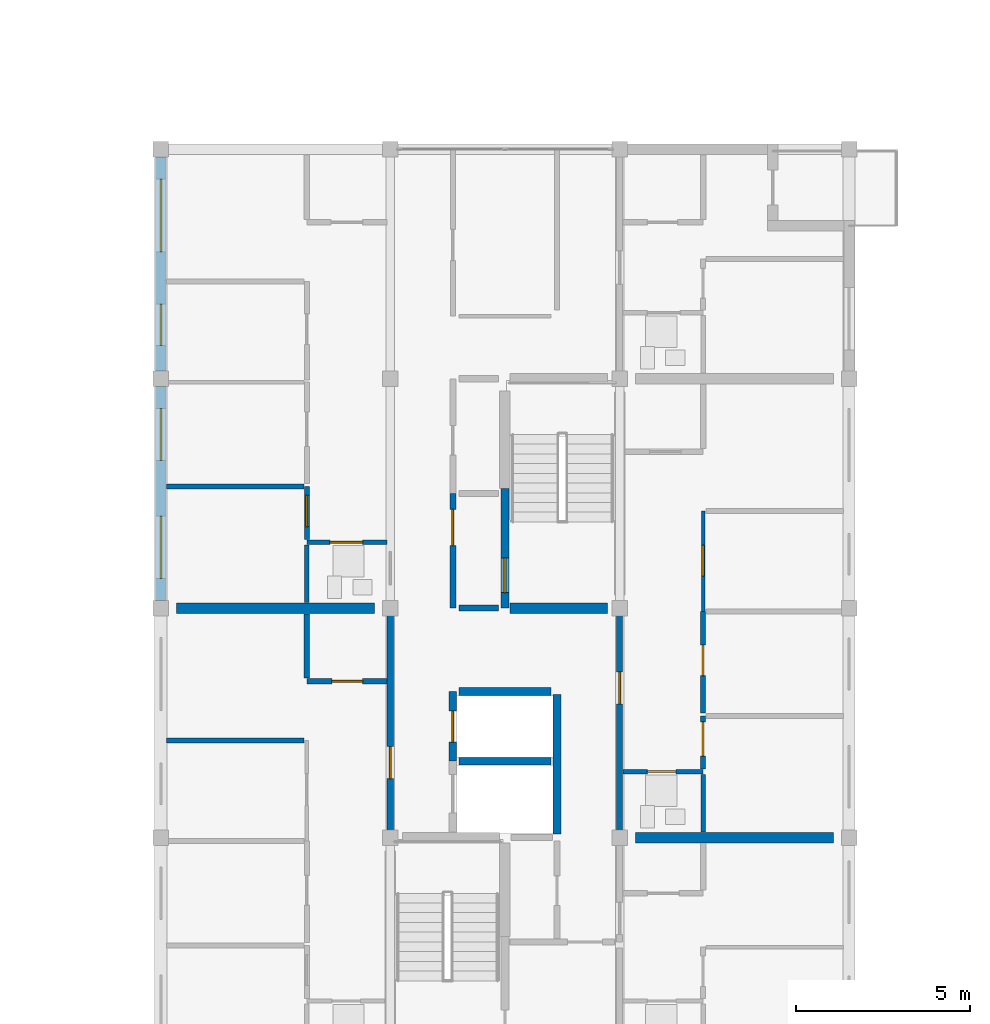
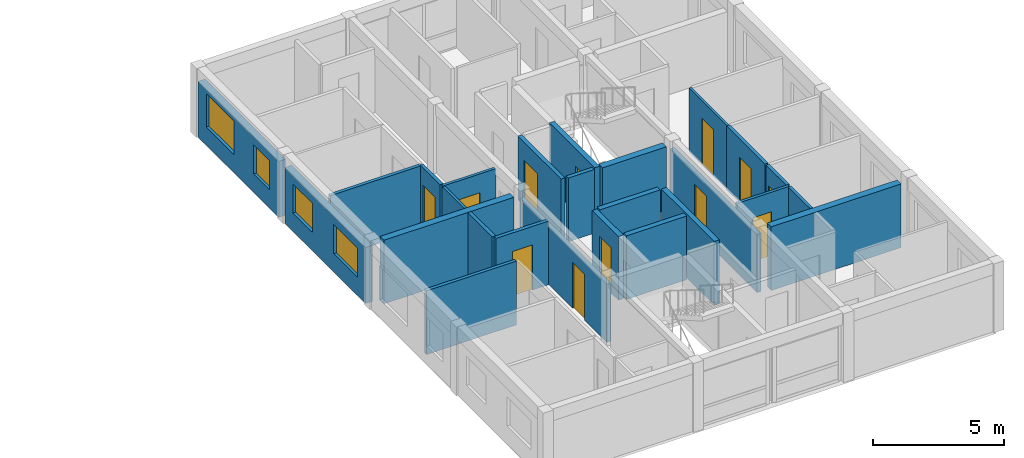
# One storey, part 29 of 45: 26 walls, 12 doors, 4 windows, 16 openings.
"""IFC4 building model written with IfcOpenShell, lengths in metres."""

from ifc_helpers import new_model, si_unit, direction, frame, frame_2d, origin, place, context, subcontext, project, spatial, rectangle, extrude, material, layer, layer_set, type_object, element, fill, save


model = new_model("IFC4")

# Units and contexts
model_context = context("Model", 3, precision=1e-05, world=origin(), true_north=direction((0.0, 1.0)))
body_context = subcontext(model_context, "Body", "Model", "MODEL_VIEW")
ifc_project = project(units=[si_unit("LENGTHUNIT", "METRE"), si_unit("AREAUNIT", "SQUARE_METRE"), si_unit("VOLUMEUNIT", "CUBIC_METRE"), si_unit("PLANEANGLEUNIT", "RADIAN"), si_unit("MASSUNIT", "GRAM", prefix="KILO")], contexts=[model_context])

# Site, building, storey
site_placement = place(None, origin())
site = spatial("IfcSite", under=ifc_project, at=site_placement, CompositionType="ELEMENT")
building_placement = place(site_placement, origin())
building = spatial("IfcBuilding", under=site, at=building_placement, Name="Kernevlak Ridge Housing Community", CompositionType="ELEMENT")
storey_placement = place(building_placement, frame((0.0, 0.0, 14.800048828125)))
storey = spatial("IfcBuildingStorey", under=building, at=storey_placement, Name="L04", CompositionType="ELEMENT", Elevation=14.800048828125)

# Wall, openings, windows
ifc_material_1 = material(Name="Concrete block masonry M10", Category="masonry")
ifc_layer_1 = layer(ifc_material_1, 0.300048828125, Name="Concrete block masonry M10")
ifc_layer_set_1 = layer_set([ifc_layer_1], Name="Concrete block masonry M10")
wall_type_1 = type_object("IfcWallType", Name="EW-01", PredefinedType="STANDARD", material=ifc_layer_set_1)
wall_1_placement = place(storey_placement, frame((126.0, 29.02490234375, 0.0), z_axis=(0.0, 0.0, 1.0), x_axis=(0.0, 1.0, 0.0)))
wall_1 = element("IfcWall", 1, at=wall_1_placement, inside=storey, type_object=wall_type_1, Name="Exterior wall EW-01 L04 588", PredefinedType="STANDARD", context=body_context, shape_type="SweptSolid", body=[
    extrude(rectangle(XDim=6.150146484375, YDim=0.300048828125, at=frame_2d((3.0751953125, 0.0))), origin(), (0.0, 0.0, 1.0), 2.599853515625),
])
opening_1_placement = place(wall_1_placement, frame((0.625, 0.0, 0.85009765625)))
opening_1 = element("IfcOpeningElement", 2, at=opening_1_placement, cuts=wall_1, Name="Opening WT-03", PredefinedType="OPENING", context=body_context, shape_type="SweptSolid", body=[
    extrude(rectangle(XDim=1.800048828125, YDim=1.35009765625, at=frame_2d((0.89990234375, 0.675048828125))), frame((0.0, 0.159912109375, 0.0), z_axis=(0.0, -1.0, 0.0), x_axis=(1.0, 0.0, 0.0)), (0.0, 0.0, 1.0), 0.320068359375),
])
opening_2_placement = place(wall_1_placement, frame((4.02490234375, 0.0, 0.85009765625)))
opening_2 = element("IfcOpeningElement", 3, at=opening_2_placement, cuts=wall_1, Name="Opening WT-02", PredefinedType="OPENING", context=body_context, shape_type="SweptSolid", body=[
    extrude(rectangle(XDim=1.5, YDim=1.35009765625, at=frame_2d((0.75, 0.675048828125))), frame((0.0, 0.159912109375, 0.0), z_axis=(0.0, -1.0, 0.0), x_axis=(1.0, 0.0, 0.0)), (0.0, 0.0, 1.0), 0.320068359375),
])
ifc_material_2 = material(Name="Aluminium EN AW-6060 anodised and laminated glass", Category="aluminium")
window_type_1 = type_object("IfcWindowType", Name="WT-02", PartitioningType="SINGLE_PANEL", PredefinedType="WINDOW", material=ifc_material_2)
window_1_placement = place(opening_2_placement, origin())
window_1 = element("IfcWindow", 4, at=window_1_placement, inside=storey, type_object=window_type_1, Name="Window WT-02 L04 477", OverallHeight=1.35009765625, OverallWidth=1.5, PartitioningType="SINGLE_PANEL", PredefinedType="WINDOW", context=body_context, shape_type="SweptSolid", body=[
    extrude(rectangle(XDim=1.5, YDim=1.35009765625, at=frame_2d((0.75, 0.675048828125))), frame((0.0, 0.030029296875, 0.0), z_axis=(0.0, -1.0, 0.0), x_axis=(1.0, 0.0, 0.0)), (0.0, 0.0, 1.0), 0.06005859375),
])
fill(opening_2, window_1)
window_type_2 = type_object("IfcWindowType", Name="WT-03", PartitioningType="SINGLE_PANEL", PredefinedType="WINDOW", material=ifc_material_2)
window_2_placement = place(opening_1_placement, origin())
window_2 = element("IfcWindow", 5, at=window_2_placement, inside=storey, type_object=window_type_2, Name="Window WT-03 L04 476", OverallHeight=1.35009765625, OverallWidth=1.800048828125, PartitioningType="SINGLE_PANEL", PredefinedType="WINDOW", context=body_context, shape_type="SweptSolid", body=[
    extrude(rectangle(XDim=1.800048828125, YDim=1.35009765625, at=frame_2d((0.89990234375, 0.675048828125))), frame((0.0, 0.030029296875, 0.0), z_axis=(0.0, -1.0, 0.0), x_axis=(1.0, 0.0, 0.0)), (0.0, 0.0, 1.0), 0.06005859375),
])
fill(opening_1, window_2)

wall_2_placement = place(storey_placement, frame((126.0, 35.625, 0.0), z_axis=(0.0, 0.0, 1.0), x_axis=(0.0, 1.0, 0.0)))
wall_2 = element("IfcWall", 6, at=wall_2_placement, inside=storey, type_object=wall_type_1, Name="Exterior wall EW-01 L04 589", PredefinedType="STANDARD", context=body_context, shape_type="SweptSolid", body=[
    extrude(rectangle(XDim=6.14990234375, YDim=0.300048828125, at=frame_2d((3.074951171875, 0.0))), origin(), (0.0, 0.0, 1.0), 2.599853515625),
])
opening_3_placement = place(wall_2_placement, frame((0.72509765625, 0.0, 0.85009765625)))
opening_3 = element("IfcOpeningElement", 7, at=opening_3_placement, cuts=wall_2, Name="Opening WT-01", PredefinedType="OPENING", context=body_context, shape_type="SweptSolid", body=[
    extrude(rectangle(XDim=1.199951171875, YDim=1.35009765625, at=frame_2d((0.60009765625, 0.675048828125))), frame((0.0, 0.159912109375, 0.0), z_axis=(0.0, -1.0, 0.0), x_axis=(1.0, 0.0, 0.0)), (0.0, 0.0, 1.0), 0.320068359375),
])
opening_4_placement = place(wall_2_placement, frame((3.425048828125, 0.0, 0.85009765625)))
opening_4 = element("IfcOpeningElement", 8, at=opening_4_placement, cuts=wall_2, Name="Opening WT-05", PredefinedType="OPENING", context=body_context, shape_type="SweptSolid", body=[
    extrude(rectangle(XDim=2.10009765625, YDim=1.550048828125, at=frame_2d((1.050048828125, 0.77490234375))), frame((0.0, 0.159912109375, 0.0), z_axis=(0.0, -1.0, 0.0), x_axis=(1.0, 0.0, 0.0)), (0.0, 0.0, 1.0), 0.320068359375),
])
window_type_3 = type_object("IfcWindowType", Name="WT-01", PartitioningType="SINGLE_PANEL", PredefinedType="WINDOW", material=ifc_material_2)
window_3_placement = place(opening_3_placement, origin())
window_3 = element("IfcWindow", 9, at=window_3_placement, inside=storey, type_object=window_type_3, Name="Window WT-01 L04 478", OverallHeight=1.35009765625, OverallWidth=1.199951171875, PartitioningType="SINGLE_PANEL", PredefinedType="WINDOW", context=body_context, shape_type="SweptSolid", body=[
    extrude(rectangle(XDim=1.199951171875, YDim=1.35009765625, at=frame_2d((0.60009765625, 0.675048828125))), frame((0.0, 0.030029296875, 0.0), z_axis=(0.0, -1.0, 0.0), x_axis=(1.0, 0.0, 0.0)), (0.0, 0.0, 1.0), 0.06005859375),
])
fill(opening_3, window_3)
window_type_4 = type_object("IfcWindowType", Name="WT-05", PartitioningType="SINGLE_PANEL", PredefinedType="WINDOW", material=ifc_material_2)
window_4_placement = place(opening_4_placement, origin())
window_4 = element("IfcWindow", 10, at=window_4_placement, inside=storey, type_object=window_type_4, Name="Window WT-05 L04 479", OverallHeight=1.550048828125, OverallWidth=2.10009765625, PartitioningType="SINGLE_PANEL", PredefinedType="WINDOW", context=body_context, shape_type="SweptSolid", body=[
    extrude(rectangle(XDim=2.10009765625, YDim=1.550048828125, at=frame_2d((1.050048828125, 0.77490234375))), frame((0.0, 0.030029296875, 0.0), z_axis=(0.0, -1.0, 0.0), x_axis=(1.0, 0.0, 0.0)), (0.0, 0.0, 1.0), 0.06005859375),
])
fill(opening_4, window_4)

# Wall, opening, door
ifc_material_3 = material(Name="Concrete C35/45", Category="concrete")
ifc_layer_2 = layer(ifc_material_3, 0.22509765625, Name="Concrete C35/45")
ifc_layer_set_2 = layer_set([ifc_layer_2], Name="Concrete C35/45")
wall_type_2 = type_object("IfcWallType", Name="PW-01", PredefinedType="STANDARD", material=ifc_layer_set_2)
wall_3_placement = place(storey_placement, frame((134.39990234375, 24.39990234375, 0.0), z_axis=(0.0, 0.0, 1.0), x_axis=(0.0, 1.0, 0.0)))
wall_3 = element("IfcWall", 11, at=wall_3_placement, inside=storey, type_object=wall_type_2, Name="Interior wall PW-01 WAL-INT-L04-2368", PredefinedType="STANDARD", context=body_context, shape_type="SweptSolid", body=[
    extrude(rectangle(XDim=2.0, YDim=0.22509765625, at=frame_2d((1.0, 0.0))), origin(), (0.0, 0.0, 1.0), 2.9599609375),
])
opening_5_placement = place(wall_3_placement, frame((0.550048828125, 0.0, 0.0)))
opening_5 = element("IfcOpeningElement", 12, at=opening_5_placement, cuts=wall_3, Name="Opening LD64", PredefinedType="OPENING", context=body_context, shape_type="SweptSolid", body=[
    extrude(rectangle(XDim=0.89990234375, YDim=2.10009765625, at=frame_2d((0.449951171875, 1.050048828125))), frame((0.0, 0.12255859375, 0.0), z_axis=(0.0, -1.0, 0.0), x_axis=(1.0, 0.0, 0.0)), (0.0, 0.0, 1.0), 0.2451171875),
])
ifc_material_4 = material(Name="Stainless steel EN 1.4401", Category="steel")
door_type_1 = type_object("IfcDoorType", Name="DT-LD2", OperationType="DOUBLE_DOOR_SLIDING", PredefinedType="DOOR", material=ifc_material_4)
door_1_placement = place(opening_5_placement, origin())
door_1 = element("IfcDoor", 13, at=door_1_placement, inside=storey, type_object=door_type_1, Name="Lift LF-C2 landing door LD64", OperationType="DOUBLE_DOOR_SLIDING", OverallHeight=2.10009765625, OverallWidth=0.89990234375, PredefinedType="DOOR", context=body_context, shape_type="SweptSolid", body=[
    extrude(rectangle(XDim=0.89990234375, YDim=2.10009765625, at=frame_2d((0.449951171875, 1.050048828125))), frame((0.0, 0.02490234375, 0.0), z_axis=(0.0, -1.0, 0.0), x_axis=(1.0, 0.0, 0.0)), (0.0, 0.0, 1.0), 0.050048828125),
])
fill(opening_5, door_1)

# Walls
wall_4_placement = place(storey_placement, frame((137.39990234375, 22.297607421875, 0.0), z_axis=(0.0, 0.0, 1.0), x_axis=(0.0, 1.0, 0.0)))
element("IfcWall", 14, at=wall_4_placement, inside=storey, type_object=wall_type_2, Name="Interior wall PW-01 WAL-INT-L04-2369", PredefinedType="STANDARD", context=body_context, shape_type="SweptSolid", body=[
    extrude(rectangle(XDim=4.0224609375, YDim=0.22509765625, at=frame_2d((2.01123046875, 0.0))), origin(), (0.0, 0.0, 1.0), 2.9599609375),
])
for number, where, z_axis, x_axis, name in (
    (15, (134.580078125, 24.39990234375, 0.0), (0.0, 0.0, 1.0), (1.0, 0.0, 0.0), "Interior wall PW-01 WAL-INT-L04-2371"),
    (16, (134.580078125, 26.39990234375, 0.0), (0.0, 0.0, 1.0), (1.0, 0.0, 0.0), "Interior wall PW-01 WAL-INT-L04-2372"),
):
    element("IfcWall", number, at=place(storey_placement, frame(where, z_axis=z_axis, x_axis=x_axis)), inside=storey, type_object=wall_type_2, Name=name, PredefinedType="STANDARD", context=body_context, shape_type="SweptSolid", body=[
        extrude(rectangle(XDim=2.639892578125, YDim=0.22509765625, at=frame_2d((1.31982421875, 0.0))), origin(), (0.0, 0.0, 1.0), 2.9599609375),
    ])

# Wall, opening, door
wall_5_placement = place(storey_placement, frame((135.89990234375, 28.800048828125, 0.0), z_axis=(0.0, 0.0, 1.0), x_axis=(0.0, 1.0, 0.0)))
wall_5 = element("IfcWall", 17, at=wall_5_placement, inside=storey, type_object=wall_type_2, Name="Interior wall PW-01 WAL-INT-L04-2373", PredefinedType="STANDARD", context=body_context, shape_type="SweptSolid", body=[
    extrude(rectangle(XDim=3.449951171875, YDim=0.22509765625, at=frame_2d((1.72509765625, 0.0))), origin(), (0.0, 0.0, 1.0), 2.9599609375),
])
opening_6_placement = place(wall_5_placement, frame((0.449951171875, 0.0, 0.0)))
opening_6 = element("IfcOpeningElement", 18, at=opening_6_placement, cuts=wall_5, Name="Opening E202", PredefinedType="OPENING", context=body_context, shape_type="SweptSolid", body=[
    extrude(rectangle(XDim=1.0, YDim=2.159912109375, at=frame_2d((0.5, 1.080078125))), frame((0.0, 0.12255859375, 0.0), z_axis=(0.0, -1.0, 0.0), x_axis=(1.0, 0.0, 0.0)), (0.0, 0.0, 1.0), 0.2451171875),
])
ifc_material_5 = material(Name="Fire-rated sheet steel leaf", Category="steel")
door_type_2 = type_object("IfcDoorType", Name="DT-15", OperationType="NOTDEFINED", PredefinedType="DOOR", material=ifc_material_5)
door_2_placement = place(opening_6_placement, origin())
door_2 = element("IfcDoor", 19, at=door_2_placement, inside=storey, type_object=door_type_2, Name="Block C Stair 2 fire door E202", OperationType="SINGLE_SWING_LEFT", OverallHeight=2.159912109375, OverallWidth=1.0, PredefinedType="DOOR", context=body_context, shape_type="SweptSolid", body=[
    extrude(rectangle(XDim=1.0, YDim=2.159912109375, at=frame_2d((0.5, 1.080078125))), frame((0.0, 0.02490234375, 0.0), z_axis=(0.0, -1.0, 0.0), x_axis=(1.0, 0.0, 0.0)), (0.0, 0.0, 1.0), 0.050048828125),
])
fill(opening_6, door_2)

ifc_layer_3 = layer(ifc_material_1, 0.175048828125, Name="Concrete block masonry M10")
ifc_layer_set_3 = layer_set([ifc_layer_3], Name="Concrete block masonry M10")
wall_type_3 = type_object("IfcWallType", Name="PW-02", PredefinedType="PARTITIONING", material=ifc_layer_set_3)
wall_6_placement = place(storey_placement, frame((134.39990234375, 28.800048828125, 0.0), z_axis=(0.0, 0.0, 1.0), x_axis=(0.0, 1.0, 0.0)))
wall_6 = element("IfcWall", 20, at=wall_6_placement, inside=storey, type_object=wall_type_3, Name="Interior wall PW-02 WAL-INT-L04-2374", PredefinedType="PARTITIONING", context=body_context, shape_type="SweptSolid", body=[
    extrude(rectangle(XDim=3.300048828125, YDim=0.175048828125, at=frame_2d((1.64990234375, 0.0))), origin(), (0.0, 0.0, 1.0), 2.9599609375),
])
opening_7_placement = place(wall_6_placement, frame((1.800048828125, 0.0, 0.0)))
opening_7 = element("IfcOpeningElement", 21, at=opening_7_placement, cuts=wall_6, Name="Opening E203", PredefinedType="OPENING", context=body_context, shape_type="SweptSolid", body=[
    extrude(rectangle(XDim=1.0400390625, YDim=2.1201171875, at=frame_2d((0.52001953125, 1.06005859375))), frame((0.0, 0.097412109375, 0.0), z_axis=(0.0, -1.0, 0.0), x_axis=(1.0, 0.0, 0.0)), (0.0, 0.0, 1.0), 0.195068359375),
])
door_type_3 = type_object("IfcDoorType", Name="DT-16", OperationType="NOTDEFINED", PredefinedType="DOOR", material=ifc_material_5)
door_3_placement = place(opening_7_placement, origin())
door_3 = element("IfcDoor", 22, at=door_3_placement, inside=storey, type_object=door_type_3, Name="Block C Firefighting lobby 2 door E203", OperationType="SINGLE_SWING_RIGHT", OverallHeight=2.1201171875, OverallWidth=1.0400390625, PredefinedType="DOOR", context=body_context, shape_type="SweptSolid", body=[
    extrude(rectangle(XDim=1.0400390625, YDim=2.1201171875, at=frame_2d((0.52001953125, 1.06005859375))), frame((0.0, 0.02490234375, 0.0), z_axis=(0.0, -1.0, 0.0), x_axis=(1.0, 0.0, 0.0)), (0.0, 0.0, 1.0), 0.050048828125),
])
fill(opening_7, door_3)

# Wall
wall_7_placement = place(storey_placement, frame((134.580078125, 28.800048828125, 0.0), z_axis=(0.0, 0.0, 1.0), x_axis=(1.0, 0.0, 0.0)))
element("IfcWall", 23, at=wall_7_placement, inside=storey, type_object=wall_type_3, Name="Interior wall PW-02 WAL-INT-L04-2376", PredefinedType="PARTITIONING", context=body_context, shape_type="SweptSolid", body=[
    extrude(rectangle(XDim=1.139892578125, YDim=0.175048828125, at=frame_2d((0.56982421875, 0.0))), origin(), (0.0, 0.0, 1.0), 2.9599609375),
])

# Wall, opening, door
wall_8_placement = place(storey_placement, frame((132.60009765625, 22.199951171875, 0.0), z_axis=(0.0, 0.0, 1.0), x_axis=(0.0, 1.0, 0.0)))
wall_8 = element("IfcWall", 24, at=wall_8_placement, inside=storey, type_object=wall_type_3, Name="Interior wall PW-02 WAL-INT-L04-2382", PredefinedType="PARTITIONING", context=body_context, shape_type="SweptSolid", body=[
    extrude(rectangle(XDim=6.60009765625, YDim=0.175048828125, at=frame_2d((3.300048828125, 0.0))), origin(), (0.0, 0.0, 1.0), 2.699951171875),
])
opening_8_placement = place(wall_8_placement, frame((1.699951171875, 0.0, 0.0)))
opening_8 = element("IfcOpeningElement", 25, at=opening_8_placement, cuts=wall_8, Name="Opening E206", PredefinedType="OPENING", context=body_context, shape_type="SweptSolid", body=[
    extrude(rectangle(XDim=0.919921875, YDim=2.139892578125, at=frame_2d((0.4599609375, 1.06982421875))), frame((0.0, 0.097412109375, 0.0), z_axis=(0.0, -1.0, 0.0), x_axis=(1.0, 0.0, 0.0)), (0.0, 0.0, 1.0), 0.195068359375),
])
ifc_material_6 = material(Name="Hardwood timber solid-core fire leaf", Category="wood")
door_type_4 = type_object("IfcDoorType", Name="DT-20", OperationType="NOTDEFINED", PredefinedType="DOOR", material=ifc_material_6)
door_4_placement = place(opening_8_placement, origin())
door_4 = element("IfcDoor", 26, at=door_4_placement, inside=storey, type_object=door_type_4, Name="Flat C0411 entrance fire door E206", OperationType="SINGLE_SWING_LEFT", OverallHeight=2.139892578125, OverallWidth=0.919921875, PredefinedType="DOOR", context=body_context, shape_type="SweptSolid", body=[
    extrude(rectangle(XDim=0.919921875, YDim=2.139892578125, at=frame_2d((0.4599609375, 1.06982421875))), frame((0.0, 0.02490234375, 0.0), z_axis=(0.0, -1.0, 0.0), x_axis=(1.0, 0.0, 0.0)), (0.0, 0.0, 1.0), 0.050048828125),
])
fill(opening_8, door_4)

wall_9_placement = place(storey_placement, frame((139.199951171875, 22.199951171875, 0.0), z_axis=(0.0, 0.0, 1.0), x_axis=(0.0, 1.0, 0.0)))
wall_9 = element("IfcWall", 27, at=wall_9_placement, inside=storey, type_object=wall_type_3, Name="Interior wall PW-02 WAL-INT-L04-2412", PredefinedType="PARTITIONING", context=body_context, shape_type="SweptSolid", body=[
    extrude(rectangle(XDim=6.60009765625, YDim=0.175048828125, at=frame_2d((3.300048828125, 0.0))), origin(), (0.0, 0.0, 1.0), 2.699951171875),
])
opening_9_placement = place(wall_9_placement, frame((3.85009765625, 0.0, 0.0)))
opening_9 = element("IfcOpeningElement", 28, at=opening_9_placement, cuts=wall_9, Name="Opening E222", PredefinedType="OPENING", context=body_context, shape_type="SweptSolid", body=[
    extrude(rectangle(XDim=0.919921875, YDim=2.139892578125, at=frame_2d((0.4599609375, 1.06982421875))), frame((0.0, 0.097412109375, 0.0), z_axis=(0.0, -1.0, 0.0), x_axis=(1.0, 0.0, 0.0)), (0.0, 0.0, 1.0), 0.195068359375),
])
door_5_placement = place(opening_9_placement, origin())
door_5 = element("IfcDoor", 29, at=door_5_placement, inside=storey, type_object=door_type_4, Name="Flat C0422 entrance fire door E222", OperationType="SINGLE_SWING_LEFT", OverallHeight=2.139892578125, OverallWidth=0.919921875, PredefinedType="DOOR", context=body_context, shape_type="SweptSolid", body=[
    extrude(rectangle(XDim=0.919921875, YDim=2.139892578125, at=frame_2d((0.4599609375, 1.06982421875))), frame((0.0, 0.02490234375, 0.0), z_axis=(0.0, -1.0, 0.0), x_axis=(1.0, 0.0, 0.0)), (0.0, 0.0, 1.0), 0.050048828125),
])
fill(opening_9, door_5)

# Wall
ifc_layer_4 = layer(ifc_material_1, 0.14501953125, Name="Concrete block masonry M10")
ifc_layer_set_4 = layer_set([ifc_layer_4], Name="Concrete block masonry M10")
wall_type_4 = type_object("IfcWallType", Name="PW-03", PredefinedType="PARTITIONING", material=ifc_layer_set_4)
wall_10_placement = place(storey_placement, frame((130.1201171875, 25.0, 0.0), z_axis=(0.0, 0.0, 1.0), x_axis=(-1.0, 0.0, 0.0)))
element("IfcWall", 30, at=wall_10_placement, inside=storey, type_object=wall_type_4, Name="Interior wall PW-03 WAL-INT-L04-2392", PredefinedType="PARTITIONING", context=body_context, shape_type="SweptSolid", body=[
    extrude(rectangle(XDim=3.960205078125, YDim=0.14501953125, at=frame_2d((1.97998046875, 0.0))), origin(), (0.0, 0.0, 1.0), 2.9599609375),
])

# Wall, opening, door
wall_11_placement = place(storey_placement, frame((130.199951171875, 30.7724609375, 0.0), z_axis=(0.0, 0.0, 1.0), x_axis=(0.0, 1.0, 0.0)))
wall_11 = element("IfcWall", 31, at=wall_11_placement, inside=storey, type_object=wall_type_4, Name="Interior wall PW-03 WAL-INT-L04-2398", PredefinedType="PARTITIONING", context=body_context, shape_type="SweptSolid", body=[
    extrude(rectangle(XDim=1.527587890625, YDim=0.14501953125, at=frame_2d((0.763671875, 0.0))), origin(), (0.0, 0.0, 1.0), 2.9599609375),
])
opening_10_placement = place(wall_11_placement, frame((0.375, 0.0, 0.0)))
opening_10 = element("IfcOpeningElement", 32, at=opening_10_placement, cuts=wall_11, Name="Opening E215", PredefinedType="OPENING", context=body_context, shape_type="SweptSolid", body=[
    extrude(rectangle(XDim=0.89990234375, YDim=2.159912109375, at=frame_2d((0.449951171875, 1.080078125))), frame((0.0, 0.08251953125, 0.0), z_axis=(0.0, -1.0, 0.0), x_axis=(1.0, 0.0, 0.0)), (0.0, 0.0, 1.0), 0.1650390625),
])
ifc_material_7 = material(Name="Hardwood timber leaf", Category="wood")
door_type_5 = type_object("IfcDoorType", Name="DT-22", OperationType="NOTDEFINED", PredefinedType="DOOR", material=ifc_material_7)
door_6_placement = place(opening_10_placement, origin())
door_6 = element("IfcDoor", 33, at=door_6_placement, inside=storey, type_object=door_type_5, Name="Flat C0412 bedroom door E215", OperationType="SINGLE_SWING_RIGHT", OverallHeight=2.159912109375, OverallWidth=0.89990234375, PredefinedType="DOOR", context=body_context, shape_type="SweptSolid", body=[
    extrude(rectangle(XDim=0.89990234375, YDim=2.159912109375, at=frame_2d((0.449951171875, 1.080078125))), frame((0.0, 0.02490234375, 0.0), z_axis=(0.0, -1.0, 0.0), x_axis=(1.0, 0.0, 0.0)), (0.0, 0.0, 1.0), 0.050048828125),
])
fill(opening_10, door_6)

# Wall
wall_12_placement = place(storey_placement, frame((130.117431640625, 32.300048828125, 0.0), z_axis=(0.0, 0.0, 1.0), x_axis=(-1.0, 0.0, 0.0)))
element("IfcWall", 34, at=wall_12_placement, inside=storey, type_object=wall_type_4, Name="Interior wall PW-03 WAL-INT-L04-2399", PredefinedType="PARTITIONING", context=body_context, shape_type="SweptSolid", body=[
    extrude(rectangle(XDim=3.95751953125, YDim=0.14501953125, at=frame_2d((1.978759765625, 0.0))), origin(), (0.0, 0.0, 1.0), 2.9599609375),
])

# Wall, opening, door
wall_13_placement = place(storey_placement, frame((141.60009765625, 24.172607421875, 0.0), z_axis=(0.0, 0.0, 1.0), x_axis=(0.0, 1.0, 0.0)))
wall_13 = element("IfcWall", 35, at=wall_13_placement, inside=storey, type_object=wall_type_4, Name="Interior wall PW-03 WAL-INT-L04-2417", PredefinedType="PARTITIONING", context=body_context, shape_type="SweptSolid", body=[
    extrude(rectangle(XDim=1.52734375, YDim=0.14501953125, at=frame_2d((0.763671875, 0.0))), origin(), (0.0, 0.0, 1.0), 2.9599609375),
])
opening_11_placement = place(wall_13_placement, frame((0.375, 0.0, 0.0)))
opening_11 = element("IfcOpeningElement", 36, at=opening_11_placement, cuts=wall_13, Name="Opening E225", PredefinedType="OPENING", context=body_context, shape_type="SweptSolid", body=[
    extrude(rectangle(XDim=0.97998046875, YDim=2.1201171875, at=frame_2d((0.489990234375, 1.06005859375))), frame((0.0, 0.08251953125, 0.0), z_axis=(0.0, -1.0, 0.0), x_axis=(1.0, 0.0, 0.0)), (0.0, 0.0, 1.0), 0.1650390625),
])
door_type_6 = type_object("IfcDoorType", Name="DT-24", OperationType="NOTDEFINED", PredefinedType="DOOR", material=ifc_material_7)
door_7_placement = place(opening_11_placement, origin())
door_7 = element("IfcDoor", 37, at=door_7_placement, inside=storey, type_object=door_type_6, Name="Flat C0422 bedroom door E225", OperationType="SINGLE_SWING_RIGHT", OverallHeight=2.1201171875, OverallWidth=0.97998046875, PredefinedType="DOOR", context=body_context, shape_type="SweptSolid", body=[
    extrude(rectangle(XDim=0.97998046875, YDim=2.1201171875, at=frame_2d((0.489990234375, 1.06005859375))), frame((0.0, 0.02490234375, 0.0), z_axis=(0.0, -1.0, 0.0), x_axis=(1.0, 0.0, 0.0)), (0.0, 0.0, 1.0), 0.050048828125),
])
fill(opening_11, door_7)

wall_14_placement = place(storey_placement, frame((141.60009765625, 25.782470703125, 0.0), z_axis=(0.0, 0.0, 1.0), x_axis=(0.0, 1.0, 0.0)))
wall_14 = element("IfcWall", 38, at=wall_14_placement, inside=storey, type_object=wall_type_4, Name="Interior wall PW-03 WAL-INT-L04-2419", PredefinedType="PARTITIONING", context=body_context, shape_type="SweptSolid", body=[
    extrude(rectangle(XDim=2.91748046875, YDim=0.14501953125, at=frame_2d((1.458740234375, 0.0))), origin(), (0.0, 0.0, 1.0), 2.9599609375),
])
opening_12_placement = place(wall_14_placement, frame((1.074951171875, 0.0, 0.0)))
opening_12 = element("IfcOpeningElement", 39, at=opening_12_placement, cuts=wall_14, Name="Opening E226", PredefinedType="OPENING", context=body_context, shape_type="SweptSolid", body=[
    extrude(rectangle(XDim=0.8798828125, YDim=2.10009765625, at=frame_2d((0.43994140625, 1.050048828125))), frame((0.0, 0.08251953125, 0.0), z_axis=(0.0, -1.0, 0.0), x_axis=(1.0, 0.0, 0.0)), (0.0, 0.0, 1.0), 0.1650390625),
])
door_type_7 = type_object("IfcDoorType", Name="DT-25", OperationType="NOTDEFINED", PredefinedType="DOOR", material=ifc_material_7)
door_8_placement = place(opening_12_placement, origin())
door_8 = element("IfcDoor", 40, at=door_8_placement, inside=storey, type_object=door_type_7, Name="Flat C0422 bedroom door E226", OperationType="SINGLE_SWING_LEFT", OverallHeight=2.10009765625, OverallWidth=0.8798828125, PredefinedType="DOOR", context=body_context, shape_type="SweptSolid", body=[
    extrude(rectangle(XDim=0.8798828125, YDim=2.10009765625, at=frame_2d((0.43994140625, 1.050048828125))), frame((0.0, 0.02490234375, 0.0), z_axis=(0.0, -1.0, 0.0), x_axis=(1.0, 0.0, 0.0)), (0.0, 0.0, 1.0), 0.050048828125),
])
fill(opening_12, door_8)

ifc_material_8 = material(Name="Gypsum plasterboard EN 520", Category="gypsum")
ifc_layer_5 = layer(ifc_material_8, 0.125, Name="Gypsum plasterboard EN 520")
ifc_layer_set_5 = layer_set([ifc_layer_5], Name="Gypsum plasterboard EN 520")
wall_type_5 = type_object("IfcWallType", Name="PW-04", PredefinedType="PARTITIONING", material=ifc_layer_set_5)
wall_15_placement = place(storey_placement, frame((132.50244140625, 30.699951171875, 0.0), z_axis=(0.0, 0.0, 1.0), x_axis=(-1.0, 0.0, 0.0)))
wall_15 = element("IfcWall", 41, at=wall_15_placement, inside=storey, type_object=wall_type_5, Name="Interior wall PW-04 WAL-INT-L04-2394", PredefinedType="PARTITIONING", context=body_context, shape_type="SweptSolid", body=[
    extrude(rectangle(XDim=2.302490234375, YDim=0.125, at=frame_2d((1.1513671875, 0.0))), origin(), (0.0, 0.0, 1.0), 2.9599609375),
])
opening_13_placement = place(wall_15_placement, frame((0.699951171875, 0.0, 0.0)))
opening_13 = element("IfcOpeningElement", 42, at=opening_13_placement, cuts=wall_15, Name="Opening E213", PredefinedType="OPENING", context=body_context, shape_type="SweptSolid", body=[
    extrude(rectangle(XDim=0.93994140625, YDim=2.080078125, at=frame_2d((0.469970703125, 1.0400390625))), frame((0.0, 0.072509765625, 0.0), z_axis=(0.0, -1.0, 0.0), x_axis=(1.0, 0.0, 0.0)), (0.0, 0.0, 1.0), 0.14501953125),
])
ifc_material_9 = material(Name="Hardwood timber moisture-resistant leaf", Category="wood")
door_type_8 = type_object("IfcDoorType", Name="DT-23", OperationType="NOTDEFINED", PredefinedType="DOOR", material=ifc_material_9)
door_9_placement = place(opening_13_placement, origin())
door_9 = element("IfcDoor", 43, at=door_9_placement, inside=storey, type_object=door_type_8, Name="Flat C0412 bathroom door E213", OperationType="SINGLE_SWING_RIGHT", OverallHeight=2.080078125, OverallWidth=0.93994140625, PredefinedType="DOOR", context=body_context, shape_type="SweptSolid", body=[
    extrude(rectangle(XDim=0.93994140625, YDim=2.080078125, at=frame_2d((0.469970703125, 1.0400390625))), frame((0.0, 0.02490234375, 0.0), z_axis=(0.0, -1.0, 0.0), x_axis=(1.0, 0.0, 0.0)), (0.0, 0.0, 1.0), 0.050048828125),
])
fill(opening_13, door_9)

# Wall
wall_16_placement = place(storey_placement, frame((130.199951171875, 28.9599609375, 0.0), z_axis=(0.0, 0.0, 1.0), x_axis=(0.0, 1.0, 0.0)))
element("IfcWall", 44, at=wall_16_placement, inside=storey, type_object=wall_type_5, Name="Interior wall PW-04 WAL-INT-L04-2395", PredefinedType="PARTITIONING", context=body_context, shape_type="SweptSolid", body=[
    extrude(rectangle(XDim=1.66015625, YDim=0.125, at=frame_2d((0.830078125, 0.0))), origin(), (0.0, 0.0, 1.0), 2.9599609375),
])

# Wall, opening, door
wall_17_placement = place(storey_placement, frame((139.297607421875, 24.10009765625, 0.0), z_axis=(0.0, 0.0, 1.0), x_axis=(1.0, 0.0, 0.0)))
wall_17 = element("IfcWall", 45, at=wall_17_placement, inside=storey, type_object=wall_type_5, Name="Interior wall PW-04 WAL-INT-L04-2413", PredefinedType="PARTITIONING", context=body_context, shape_type="SweptSolid", body=[
    extrude(rectangle(XDim=2.302490234375, YDim=0.125, at=frame_2d((1.1513671875, 0.0))), origin(), (0.0, 0.0, 1.0), 2.9599609375),
])
opening_14_placement = place(wall_17_placement, frame((0.699951171875, 0.0, 0.0)))
opening_14 = element("IfcOpeningElement", 46, at=opening_14_placement, cuts=wall_17, Name="Opening E223", PredefinedType="OPENING", context=body_context, shape_type="SweptSolid", body=[
    extrude(rectangle(XDim=0.820068359375, YDim=2.050048828125, at=frame_2d((0.41015625, 1.02490234375))), frame((0.0, 0.072509765625, 0.0), z_axis=(0.0, -1.0, 0.0), x_axis=(1.0, 0.0, 0.0)), (0.0, 0.0, 1.0), 0.14501953125),
])
door_type_9 = type_object("IfcDoorType", Name="DT-30", OperationType="NOTDEFINED", PredefinedType="DOOR", material=ifc_material_9)
door_10_placement = place(opening_14_placement, origin())
door_10 = element("IfcDoor", 47, at=door_10_placement, inside=storey, type_object=door_type_9, Name="Flat C0422 bathroom door E223", OperationType="SINGLE_SWING_RIGHT", OverallHeight=2.050048828125, OverallWidth=0.820068359375, PredefinedType="DOOR", context=body_context, shape_type="SweptSolid", body=[
    extrude(rectangle(XDim=0.820068359375, YDim=2.050048828125, at=frame_2d((0.41015625, 1.02490234375))), frame((0.0, 0.02490234375, 0.0), z_axis=(0.0, -1.0, 0.0), x_axis=(1.0, 0.0, 0.0)), (0.0, 0.0, 1.0), 0.050048828125),
])
fill(opening_14, door_10)

# Wall
wall_18_placement = place(storey_placement, frame((141.60009765625, 22.360107421875, 0.0), z_axis=(0.0, 0.0, 1.0), x_axis=(0.0, 1.0, 0.0)))
element("IfcWall", 48, at=wall_18_placement, inside=storey, type_object=wall_type_5, Name="Interior wall PW-04 WAL-INT-L04-2414", PredefinedType="PARTITIONING", context=body_context, shape_type="SweptSolid", body=[
    extrude(rectangle(XDim=1.659912109375, YDim=0.125, at=frame_2d((0.830078125, 0.0))), origin(), (0.0, 0.0, 1.0), 2.9599609375),
])

# Wall, opening, door
ifc_layer_6 = layer(ifc_material_8, 0.155029296875, Name="Gypsum plasterboard EN 520")
ifc_layer_set_6 = layer_set([ifc_layer_6], Name="Gypsum plasterboard EN 520")
wall_type_6 = type_object("IfcWallType", Name="PW-05", PredefinedType="PARTITIONING", material=ifc_layer_set_6)
wall_19_placement = place(storey_placement, frame((132.50244140625, 26.699951171875, 0.0), z_axis=(0.0, 0.0, 1.0), x_axis=(-1.0, 0.0, 0.0)))
wall_19 = element("IfcWall", 49, at=wall_19_placement, inside=storey, type_object=wall_type_6, Name="Interior wall PW-05 WAL-INT-L04-2385", PredefinedType="PARTITIONING", context=body_context, shape_type="SweptSolid", body=[
    extrude(rectangle(XDim=2.302490234375, YDim=0.155029296875, at=frame_2d((1.1513671875, 0.0))), origin(), (0.0, 0.0, 1.0), 2.9599609375),
])
opening_15_placement = place(wall_19_placement, frame((0.699951171875, 0.0, 0.0)))
opening_15 = element("IfcOpeningElement", 50, at=opening_15_placement, cuts=wall_19, Name="Opening E208", PredefinedType="OPENING", context=body_context, shape_type="SweptSolid", body=[
    extrude(rectangle(XDim=0.8798828125, YDim=2.10009765625, at=frame_2d((0.43994140625, 1.050048828125))), frame((0.0, 0.08740234375, 0.0), z_axis=(0.0, -1.0, 0.0), x_axis=(1.0, 0.0, 0.0)), (0.0, 0.0, 1.0), 0.175048828125),
])
door_11_placement = place(opening_15_placement, origin())
door_11 = element("IfcDoor", 51, at=door_11_placement, inside=storey, type_object=door_type_7, Name="Flat C0411 kitchen door E208", OperationType="SINGLE_SWING_LEFT", OverallHeight=2.10009765625, OverallWidth=0.8798828125, PredefinedType="DOOR", context=body_context, shape_type="SweptSolid", body=[
    extrude(rectangle(XDim=0.8798828125, YDim=2.10009765625, at=frame_2d((0.43994140625, 1.050048828125))), frame((0.0, 0.02490234375, 0.0), z_axis=(0.0, -1.0, 0.0), x_axis=(1.0, 0.0, 0.0)), (0.0, 0.0, 1.0), 0.050048828125),
])
fill(opening_15, door_11)

# Wall
wall_20_placement = place(storey_placement, frame((130.199951171875, 26.78759765625, 0.0), z_axis=(0.0, 0.0, 1.0), x_axis=(0.0, 1.0, 0.0)))
element("IfcWall", 52, at=wall_20_placement, inside=storey, type_object=wall_type_6, Name="Interior wall PW-05 WAL-INT-L04-2386", PredefinedType="PARTITIONING", context=body_context, shape_type="SweptSolid", body=[
    extrude(rectangle(XDim=1.852294921875, YDim=0.155029296875, at=frame_2d((0.92626953125, 0.0))), origin(), (0.0, 0.0, 1.0), 2.9599609375),
])

# Wall, opening, door
ifc_layer_7 = layer(ifc_material_8, 0.10498046875, Name="Gypsum plasterboard EN 520")
ifc_layer_set_7 = layer_set([ifc_layer_7], Name="Gypsum plasterboard EN 520")
wall_type_7 = type_object("IfcWallType", Name="PW-06", PredefinedType="PARTITIONING", material=ifc_layer_set_7)
wall_21_placement = place(storey_placement, frame((141.60009765625, 28.699951171875, 0.0), z_axis=(0.0, 0.0, 1.0), x_axis=(0.0, 1.0, 0.0)))
wall_21 = element("IfcWall", 53, at=wall_21_placement, inside=storey, type_object=wall_type_7, Name="Interior wall PW-06 WAL-INT-L04-2421", PredefinedType="PARTITIONING", context=body_context, shape_type="SweptSolid", body=[
    extrude(rectangle(XDim=2.900146484375, YDim=0.10498046875, at=frame_2d((1.4501953125, 0.0))), origin(), (0.0, 0.0, 1.0), 2.9599609375),
])
opening_16_placement = place(wall_21_placement, frame((1.02490234375, 0.0, 0.0)))
opening_16 = element("IfcOpeningElement", 54, at=opening_16_placement, cuts=wall_21, Name="Opening E227", PredefinedType="OPENING", context=body_context, shape_type="SweptSolid", body=[
    extrude(rectangle(XDim=0.8798828125, YDim=2.159912109375, at=frame_2d((0.43994140625, 1.080078125))), frame((0.0, 0.0625, 0.0), z_axis=(0.0, -1.0, 0.0), x_axis=(1.0, 0.0, 0.0)), (0.0, 0.0, 1.0), 0.125),
])
door_type_10 = type_object("IfcDoorType", Name="DT-26", OperationType="NOTDEFINED", PredefinedType="DOOR", material=ifc_material_7)
door_12_placement = place(opening_16_placement, origin())
door_12 = element("IfcDoor", 55, at=door_12_placement, inside=storey, type_object=door_type_10, Name="Flat C0422 bedroom door E227", OperationType="SINGLE_SWING_RIGHT", OverallHeight=2.159912109375, OverallWidth=0.8798828125, PredefinedType="DOOR", context=body_context, shape_type="SweptSolid", body=[
    extrude(rectangle(XDim=0.8798828125, YDim=2.159912109375, at=frame_2d((0.43994140625, 1.080078125))), frame((0.0, 0.02490234375, 0.0), z_axis=(0.0, -1.0, 0.0), x_axis=(1.0, 0.0, 0.0)), (0.0, 0.0, 1.0), 0.050048828125),
])
fill(opening_16, door_12)

# Walls
ifc_material_10 = material(Name="Concrete C40/50", Category="concrete")
ifc_layer_8 = layer(ifc_material_10, 0.300048828125, Name="Concrete C40/50")
ifc_layer_set_8 = layer_set([ifc_layer_8], Name="Concrete C40/50")
wall_type_8 = type_object("IfcWallType", Name="SW-02", PredefinedType="SHEAR", material=ifc_layer_set_8)
wall_22_placement = place(storey_placement, frame((136.050048828125, 28.800048828125, 0.0), z_axis=(0.0, 0.0, 1.0), x_axis=(1.0, 0.0, 0.0)))
element("IfcWall", 56, at=wall_22_placement, inside=storey, type_object=wall_type_8, Name="Shear wall SW-02 Block C L04 416", PredefinedType="SHEAR", context=body_context, shape_type="SweptSolid", body=[
    extrude(rectangle(XDim=2.800048828125, YDim=0.300048828125, at=frame_2d((1.39990234375, 0.0))), origin(), (0.0, 0.0, 1.0), 2.9599609375),
])
wall_23_placement = place(storey_placement, frame((126.449951171875, 28.800048828125, 0.0), z_axis=(0.0, 0.0, 1.0), x_axis=(1.0, 0.0, 0.0)))
element("IfcWall", 57, at=wall_23_placement, inside=storey, type_object=wall_type_8, Name="Shear wall SW-02 Block C L04 418", PredefinedType="SHEAR", context=body_context, shape_type="SweptSolid", body=[
    extrude(rectangle(XDim=5.699951171875, YDim=0.300048828125, at=frame_2d((2.85009765625, 0.0))), origin(), (0.0, 0.0, 1.0), 2.9599609375),
])
wall_24_placement = place(storey_placement, frame((139.64990234375, 22.199951171875, 0.0), z_axis=(0.0, 0.0, 1.0), x_axis=(1.0, 0.0, 0.0)))
element("IfcWall", 58, at=wall_24_placement, inside=storey, type_object=wall_type_8, Name="Shear wall SW-02 Block C L04 419", PredefinedType="SHEAR", context=body_context, shape_type="SweptSolid", body=[
    extrude(rectangle(XDim=5.7001953125, YDim=0.300048828125, at=frame_2d((2.85009765625, 0.0))), origin(), (0.0, 0.0, 1.0), 2.9599609375),
])

save(model, "model.ifc")
